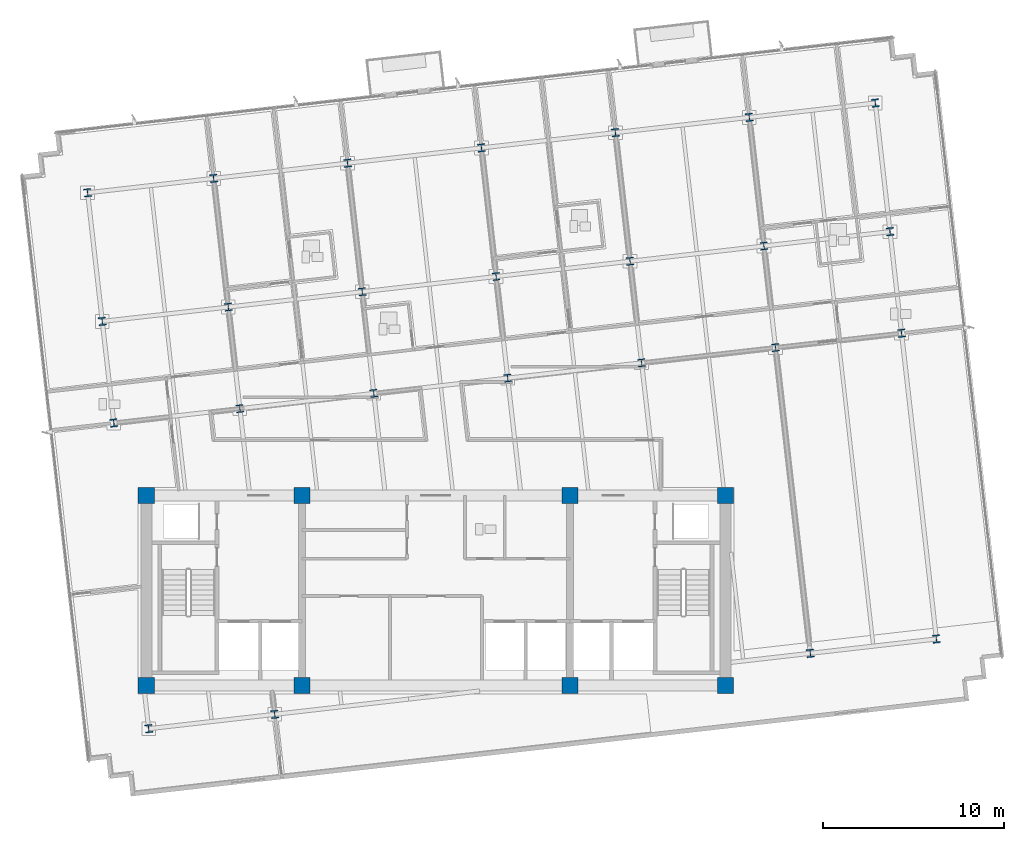
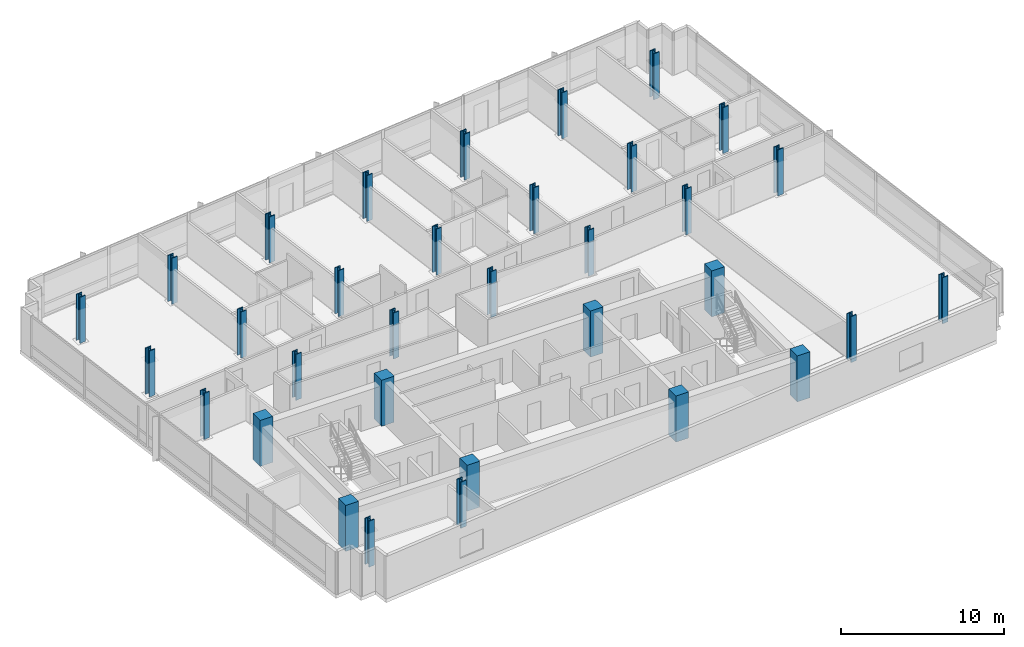
# One storey, part 1 of 16: 33 columns.
"""IFC4 building model written with IfcOpenShell, lengths in metres."""

from ifc_helpers import new_model, si_unit, direction, frame, origin, origin_2d, place, context, subcontext, project, spatial, rectangle, i_section, extrude, material, material_profile, profile_set, type_object, element, save


model = new_model("IFC4")

# Units and contexts
model_context = context("Model", 3, precision=1e-05, world=origin(), true_north=direction((0.0, 1.0)))
body_context = subcontext(model_context, "Body", "Model", "MODEL_VIEW")
ifc_project = project(units=[si_unit("LENGTHUNIT", "METRE"), si_unit("AREAUNIT", "SQUARE_METRE"), si_unit("VOLUMEUNIT", "CUBIC_METRE"), si_unit("PLANEANGLEUNIT", "RADIAN"), si_unit("MASSUNIT", "GRAM", prefix="KILO")], contexts=[model_context])

# Site, building, storey
site_placement = place(None, origin())
site = spatial("IfcSite", under=ifc_project, at=site_placement, CompositionType="ELEMENT")
building_placement = place(site_placement, origin())
building = spatial("IfcBuilding", under=site, at=building_placement, Name="Solmavex Isthmus Hotel", CompositionType="ELEMENT")
storey_placement = place(building_placement, frame((0.0, 0.0, 208.949951171875)))
storey = spatial("IfcBuildingStorey", under=building, at=storey_placement, Name="L56", CompositionType="ELEMENT", Elevation=208.949951171875)

# Columns
ifc_material_1 = material(Name="Concrete C50/60", Category="concrete")
ifc_material_profile_1 = material_profile(ifc_material_1, rectangle(XDim=0.89990234375, YDim=0.89990234375, at=origin_2d()), Name="RC900X900")
ifc_profile_set_1 = profile_set([ifc_material_profile_1], Name="Concrete C50/60")
column_type_1 = type_object("IfcColumnType", Name="COL-CC-900", PredefinedType="COLUMN", material=ifc_profile_set_1)
for number, where, z_axis, x_axis, name in (
    (1, (-16.0, -13.0, 0.0), (0.0, 0.0, 1.0), (1.0, 0.0, 0.0), "Core Pilaster CC-SW L56"),
    (2, (-7.39990234375, -13.0, 0.0), (0.0, 0.0, 1.0), (1.0, 0.0, 0.0), "Core Pilaster CC-S1 L56"),
    (3, (7.39990234375, -13.0, 0.0), (0.0, 0.0, 1.0), (1.0, 0.0, 0.0), "Core Pilaster CC-S2 L56"),
    (4, (16.0, -13.0, 0.0), (0.0, 0.0, 1.0), (1.0, 0.0, 0.0), "Core Pilaster CC-SE L56"),
    (5, (-16.0, -2.5, 0.0), (0.0, 0.0, 1.0), (1.0, 0.0, 0.0), "Core Pilaster CC-NW L56"),
    (6, (-7.39990234375, -2.5, 0.0), (0.0, 0.0, 1.0), (1.0, 0.0, 0.0), "Core Pilaster CC-N1 L56"),
    (7, (7.39990234375, -2.5, 0.0), (0.0, 0.0, 1.0), (1.0, 0.0, 0.0), "Core Pilaster CC-N2 L56"),
    (8, (16.0, -2.5, 0.0), (0.0, 0.0, 1.0), (1.0, 0.0, 0.0), "Core Pilaster CC-NE L56"),
):
    element("IfcColumn", number, at=place(storey_placement, frame(where, z_axis=z_axis, x_axis=x_axis)), inside=storey, type_object=column_type_1, Name=name, PredefinedType="COLUMN", context=body_context, shape_type="SweptSolid", body=[
        extrude(rectangle(XDim=0.89990234375, YDim=0.89990234375, at=origin_2d()), origin(), (0.0, 0.0, 1.0), 3.449951171875),
    ])
ifc_material_2 = material(Name="Steel ASTM A913 Grade 65", Category="steel")
ifc_material_profile_2 = material_profile(ifc_material_2, i_section(OverallWidth=0.412109375, OverallDepth=0.434814453125, WebThickness=0.035888671875, FlangeThickness=0.057373046875, FilletRadius=0.030517578125, at=origin_2d()), Name="W14X311")
ifc_profile_set_2 = profile_set([ifc_material_profile_2], Name="Steel ASTM A913 Grade 65")
column_type_2 = type_object("IfcColumnType", Name="COL-SC-W14X311", PredefinedType="COLUMN", material=ifc_profile_set_2)
for number, where, z_axis, x_axis, name in (
    (9, (-10.833984375, 2.30078125, 0.0), (0.0, 0.0, 1.0), (0.993571855677, 0.113203213768, 0.0), "Tower Column B4-U2V2 L56"),
    (10, (-11.473388671875, 7.912353515625, 0.0), (0.0, 0.0, 1.0), (0.993571855677, 0.113203213768, 0.0), "Tower Column B4-U2V3 L56"),
    (11, (-3.435791015625, 3.1435546875, 0.0), (0.0, 0.0, 1.0), (0.993571855677, 0.113203213768, 0.0), "Tower Column B4-U3V2 L56"),
    (12, (-4.0751953125, 8.75537109375, 0.0), (0.0, 0.0, 1.0), (0.993571855677, 0.113203213768, 0.0), "Tower Column B4-U3V3 L56"),
    (13, (3.962158203125, 3.986572265625, 0.0), (0.0, 0.0, 1.0), (0.993571855677, 0.113203213768, 0.0), "Tower Column B4-U4V2 L56"),
    (14, (3.322998046875, 9.59814453125, 0.0), (0.0, 0.0, 1.0), (0.993571855677, 0.113203213768, 0.0), "Tower Column B4-U4V3 L56"),
    (15, (11.3603515625, 4.829345703125, 0.0), (0.0, 0.0, 1.0), (0.993571855677, 0.113203213768, 0.0), "Tower Column B4-U5V2 L56"),
    (16, (10.720947265625, 10.441162109375, 0.0), (0.0, 0.0, 1.0), (0.993571855677, 0.113203213768, 0.0), "Tower Column B4-U5V3 L56"),
    (17, (18.758544921875, 5.67236328125, 0.0), (0.0, 0.0, 1.0), (0.993571855677, 0.113203213768, 0.0), "Tower Column B4-U6V2 L56"),
    (18, (18.119140625, 11.283935546875, 0.0), (0.0, 0.0, 1.0), (0.993571855677, 0.113203213768, 0.0), "Tower Column B4-U6V3 L56"),
):
    element("IfcColumn", number, at=place(storey_placement, frame(where, z_axis=z_axis, x_axis=x_axis)), inside=storey, type_object=column_type_2, Name=name, PredefinedType="COLUMN", context=body_context, shape_type="SweptSolid", body=[
        extrude(i_section(OverallWidth=0.412109375, OverallDepth=0.434814453125, WebThickness=0.035888671875, FlangeThickness=0.057373046875, FilletRadius=0.030517578125, at=origin_2d()), origin(), (0.0, 0.0, 1.0), 3.449951171875),
    ])
ifc_material_profile_3 = material_profile(ifc_material_2, i_section(OverallWidth=0.41845703125, OverallDepth=0.455078125, WebThickness=0.0419921875, FlangeThickness=0.067626953125, FilletRadius=0.030517578125, at=origin_2d()), Name="W14X370")
ifc_profile_set_3 = profile_set([ifc_material_profile_3], Name="Steel ASTM A913 Grade 65")
column_type_3 = type_object("IfcColumnType", Name="COL-SC-W14X370", PredefinedType="COLUMN", material=ifc_profile_set_3)
for number, where, z_axis, x_axis, name in (
    (19, (-15.87255859375, -15.38330078125, 0.0), (0.0, 0.0, 1.0), (0.993571855677, 0.113203213768, 0.0), "Tower Column B4-U1V1 L56"),
    (20, (-17.796875, 1.50732421875, 0.0), (0.0, 0.0, 1.0), (0.993571855677, 0.113203213768, 0.0), "Tower Column B4-U1V2 L56"),
    (21, (-18.436279296875, 7.119140625, 0.0), (0.0, 0.0, 1.0), (0.993571855677, 0.113203213768, 0.0), "Tower Column B4-U1V3 L56"),
    (22, (-19.245849609375, 14.22509765625, 0.0), (0.0, 0.0, 1.0), (0.993571855677, 0.113203213768, 0.0), "Tower Column B4-U1V4 L56"),
    (23, (-8.909423828125, -14.590087890625, 0.0), (0.0, 0.0, 1.0), (0.993571855677, 0.113203213768, 0.0), "Tower Column B4-U2V1 L56"),
    (24, (-12.282958984375, 15.018310546875, 0.0), (0.0, 0.0, 1.0), (0.993571855677, 0.113203213768, 0.0), "Tower Column B4-U2V4 L56"),
    (25, (-4.884765625, 15.861328125, 0.0), (0.0, 0.0, 1.0), (0.993571855677, 0.113203213768, 0.0), "Tower Column B4-U3V4 L56"),
    (26, (2.51318359375, 16.7041015625, 0.0), (0.0, 0.0, 1.0), (0.993571855677, 0.113203213768, 0.0), "Tower Column B4-U4V4 L56"),
    (27, (9.911376953125, 17.547119140625, 0.0), (0.0, 0.0, 1.0), (0.993571855677, 0.113203213768, 0.0), "Tower Column B4-U5V4 L56"),
    (28, (20.68310546875, -11.218505859375, 0.0), (0.0, 0.0, 1.0), (0.993571855677, 0.113203213768, 0.0), "Tower Column B4-U6V1 L56"),
    (29, (17.3095703125, 18.39013671875, 0.0), (0.0, 0.0, 1.0), (0.993571855677, 0.113203213768, 0.0), "Tower Column B4-U6V4 L56"),
    (30, (27.64599609375, -10.425048828125, 0.0), (0.0, 0.0, 1.0), (0.993571855677, 0.113203213768, 0.0), "Tower Column B4-U7V1 L56"),
    (31, (25.721435546875, 6.465576171875, 0.0), (0.0, 0.0, 1.0), (0.993571855677, 0.113203213768, 0.0), "Tower Column B4-U7V2 L56"),
    (32, (25.08203125, 12.077392578125, 0.0), (0.0, 0.0, 1.0), (0.993571855677, 0.113203213768, 0.0), "Tower Column B4-U7V3 L56"),
    (33, (24.2724609375, 19.183349609375, 0.0), (0.0, 0.0, 1.0), (0.993571855677, 0.113203213768, 0.0), "Tower Column B4-U7V4 L56"),
):
    element("IfcColumn", number, at=place(storey_placement, frame(where, z_axis=z_axis, x_axis=x_axis)), inside=storey, type_object=column_type_3, Name=name, PredefinedType="COLUMN", context=body_context, shape_type="SweptSolid", body=[
        extrude(i_section(OverallWidth=0.41845703125, OverallDepth=0.455078125, WebThickness=0.0419921875, FlangeThickness=0.067626953125, FilletRadius=0.030517578125, at=origin_2d()), origin(), (0.0, 0.0, 1.0), 3.449951171875),
    ])

save(model, "model.ifc")
